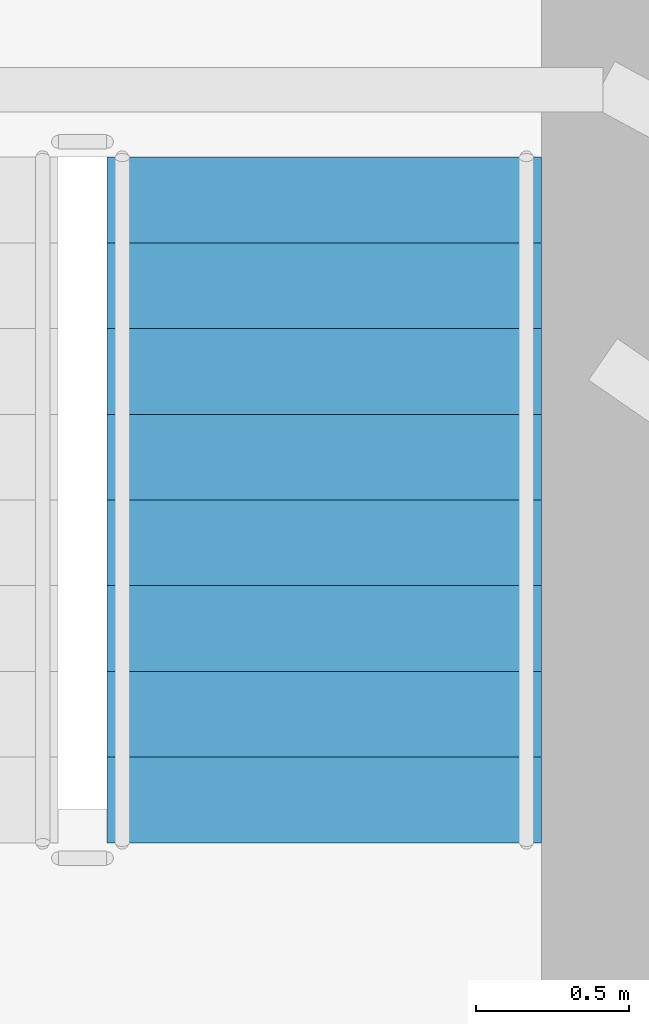
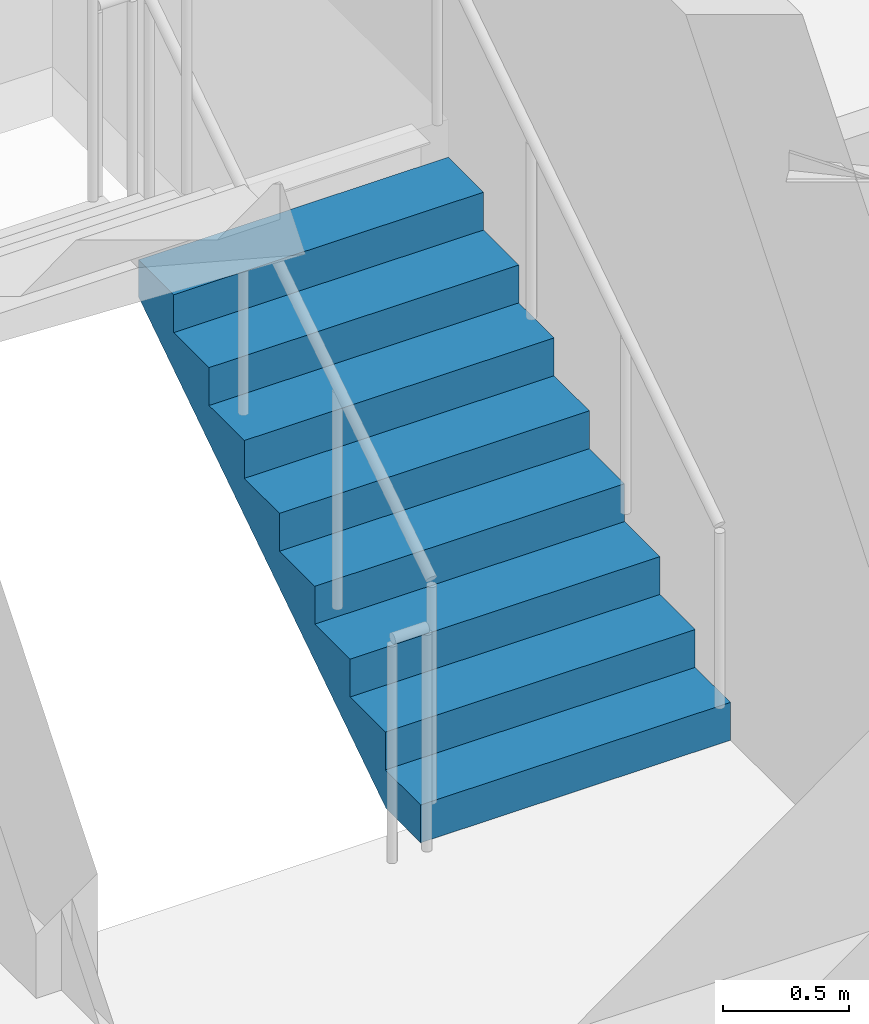
# One storey, part 27 of 30: 1 stair flight, 1 element without a shape of its own.
"""IFC4 building model written with IfcOpenShell, lengths in metres."""

from ifc_helpers import new_model, si_unit, direction, frame, origin, place, context, subcontext, project, spatial, polyline, outline, extrude, material, type_object, element, aggregate, save


model = new_model("IFC4")

# Units and contexts
model_context = context("Model", 3, precision=1e-05, world=origin(), true_north=direction((0.0, 1.0)))
body_context = subcontext(model_context, "Body", "Model", "MODEL_VIEW")
ifc_project = project(units=[si_unit("LENGTHUNIT", "METRE"), si_unit("AREAUNIT", "SQUARE_METRE"), si_unit("VOLUMEUNIT", "CUBIC_METRE"), si_unit("PLANEANGLEUNIT", "RADIAN"), si_unit("MASSUNIT", "GRAM", prefix="KILO")], contexts=[model_context])

# Site, building, storey
site_placement = place(None, origin())
site = spatial("IfcSite", under=ifc_project, at=site_placement, CompositionType="ELEMENT")
building_placement = place(site_placement, origin())
building = spatial("IfcBuilding", under=site, at=building_placement, Name="Orvanel Arch Residences", CompositionType="ELEMENT")
storey_placement = place(building_placement, frame((0.0, 0.0, 139.699951171875)))
storey = spatial("IfcBuildingStorey", under=building, at=storey_placement, Name="L39", CompositionType="ELEMENT", Elevation=139.699951171875)

# Stair, stair flight
ifc_material = material(Name="Precast concrete N50 (50 MPa)", Category="concrete")
stair_type = type_object("IfcStairType", Name="STR-DOG-184", PredefinedType="USERDEFINED", material=ifc_material)
stair_placement = place(storey_placement, origin())
stair = element("IfcStair", 1, at=stair_placement, inside=storey, type_object=stair_type, Name="L39 Fire-Isolated Core Exit Stair 2", ObjectType="TWO_RETURN_STAIR", PredefinedType="USERDEFINED")
stair_flight_type = type_object("IfcStairFlightType", Name="SFL-C2-184", PredefinedType="STRAIGHT", material=ifc_material)
stair_flight_placement = place(storey_placement, frame((38.68994140625, 28.320068359375, 0.0), z_axis=(0.0, 0.0, 1.0), x_axis=(0.0, 1.0, 0.0)))
stair_flight = element("IfcStairFlight", 2, at=stair_flight_placement, type_object=stair_flight_type, Name="ST-2 flight 1", NumberOfRisers=9, NumberOfTreads=8, PredefinedType="STRAIGHT", RiserHeight=0.183333333, TreadLength=0.28, context=body_context, shape_type="SweptSolid", body=[
    extrude(outline(polyline([(0.0, 0.0), (0.0, 0.183349609375), (0.280029296875, 0.183349609375), (0.280029296875, 0.36669921875), (0.56005859375, 0.36669921875), (0.56005859375, 0.550048828125), (0.840087890625, 0.550048828125), (0.840087890625, 0.7333984375), (1.1201171875, 0.7333984375), (1.1201171875, 0.916748046875), (1.39990234375, 0.916748046875), (1.39990234375, 1.10009765625), (1.679931640625, 1.10009765625), (1.679931640625, 1.283447265625), (1.9599609375, 1.283447265625), (1.9599609375, 1.466552734375), (2.239990234375, 1.466552734375), (2.239990234375, 1.64990234375), (2.239990234375, 1.28759765625), (0.273681640625, 0.0), (0.0, 0.0)])), frame((0.0, 0.7099609375, 0.0), z_axis=(0.0, -1.0, 0.0), x_axis=(1.0, 0.0, 0.0)), (0.0, 0.0, 1.0), 1.419921875),
])
aggregate(stair, [stair_flight])

save(model, "model.ifc")
